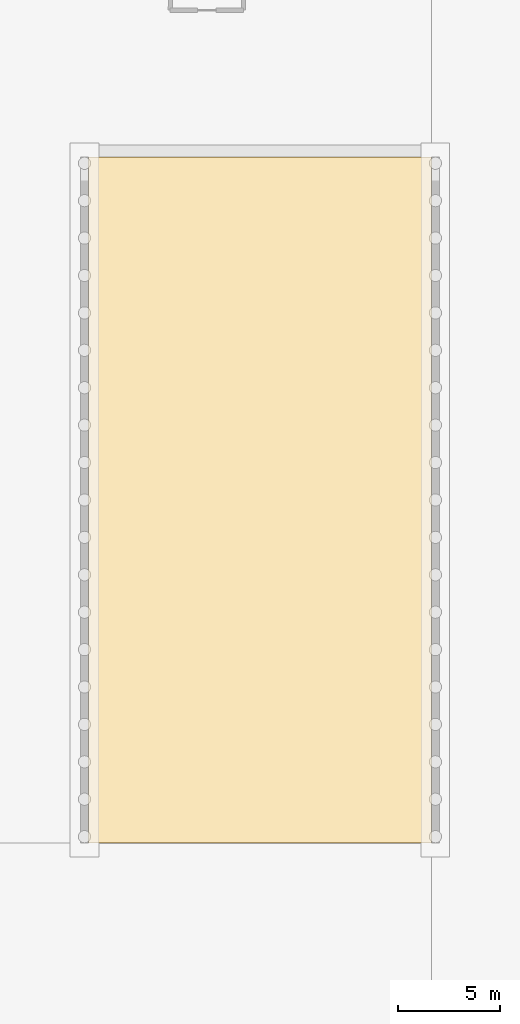
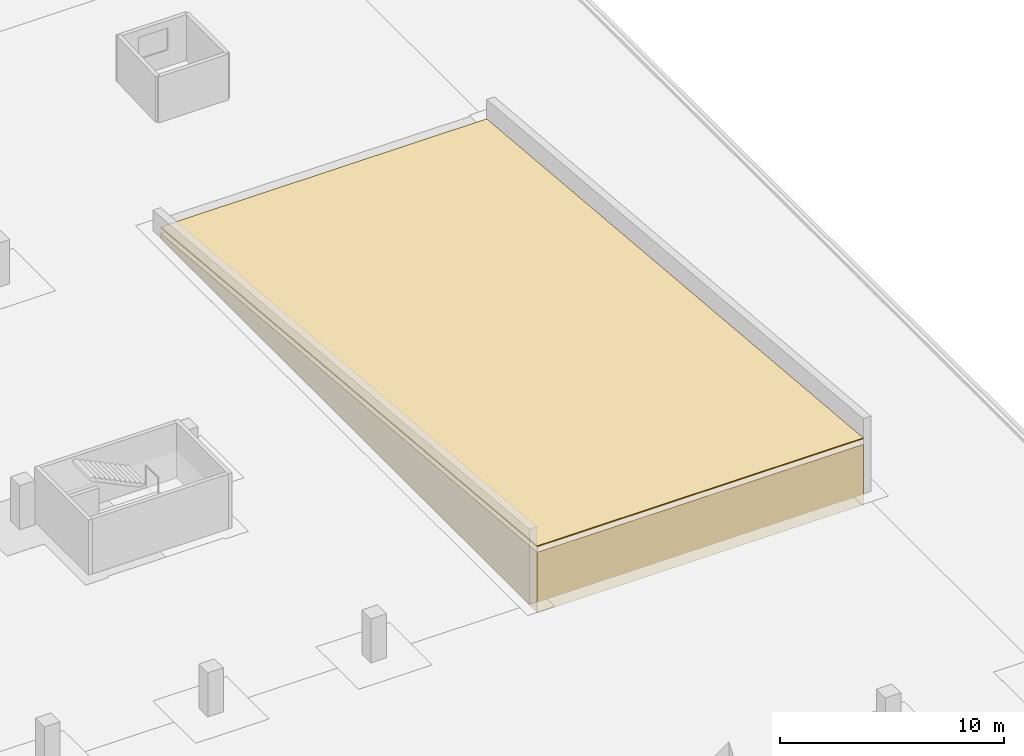
# One storey, part 66 of 67: 2 coverings.
"""IFC4 building model written with IfcOpenShell, lengths in metres."""

from ifc_helpers import new_model, si_unit, direction, frame, origin, place, context, subcontext, project, spatial, polyline, outline, extrude, material, layer, layer_set, type_object, element, save


model = new_model("IFC4")

# Units and contexts
model_context = context("Model", 3, precision=1e-05, world=origin(), true_north=direction((0.0, 1.0)))
body_context = subcontext(model_context, "Body", "Model", "MODEL_VIEW")
ifc_project = project(units=[si_unit("LENGTHUNIT", "METRE"), si_unit("AREAUNIT", "SQUARE_METRE"), si_unit("VOLUMEUNIT", "CUBIC_METRE"), si_unit("PLANEANGLEUNIT", "RADIAN"), si_unit("MASSUNIT", "GRAM", prefix="KILO")], contexts=[model_context])

# Site, building, storey
site_placement = place(None, origin())
site = spatial("IfcSite", under=ifc_project, at=site_placement, CompositionType="ELEMENT")
building_placement = place(site_placement, origin())
building = spatial("IfcBuilding", under=site, at=building_placement, Name="Rain Tree Exposition and Congress Centre", CompositionType="ELEMENT")
storey_placement = place(building_placement, frame((0.0, 0.0, -3.0)))
storey = spatial("IfcBuildingStorey", under=building, at=storey_placement, Name="B1", CompositionType="ELEMENT", Elevation=-3.0)

# Coverings
ifc_material_1 = material(Name="Lightweight foamed aggregate fill", Category="soil")
ifc_layer_1 = layer(ifc_material_1, 0.300048828125)
ifc_layer_set_1 = layer_set([ifc_layer_1], Name="Lightweight foamed aggregate fill")
covering_type_1 = type_object("IfcCoveringType", Name="Lightweight ramp fill 16800", PredefinedType="FLOORING", material=ifc_layer_set_1)
covering_1_placement = place(storey_placement, frame((260.39990234375, 268.800048828125, -0.60009765625), z_axis=(0.0, 0.0, 1.0), x_axis=(0.0, -1.0, 0.0)))
element("IfcCovering", 1, at=covering_1_placement, inside=storey, type_object=covering_type_1, Name="Truck Ramp B lightweight fill", PredefinedType="FLOORING", context=body_context, shape_type="SweptSolid", body=[
    extrude(outline(polyline([(0.0, 0.0), (33.60009765625, 0.0), (33.60009765625, 3.300048828125), (0.0, 0.300048828125), (0.0, 0.0)])), frame((0.0, 8.39990234375, 0.0), z_axis=(0.0, -1.0, 0.0), x_axis=(1.0, 0.0, 0.0)), (0.0, 0.0, 1.0), 16.800048828125),
])
ifc_material_2 = material(Name="Non-slip resin wearing course")
ifc_layer_2 = layer(ifc_material_2, 0.050048828125)
ifc_layer_set_2 = layer_set([ifc_layer_2], Name="Non-slip resin wearing course")
covering_type_2 = type_object("IfcCoveringType", Name="Non-slip ramp surfacing 50", PredefinedType="FLOORING", material=ifc_layer_set_2)
covering_2_placement = place(storey_placement, frame((252.0, 268.800048828125, 0.05029296875), z_axis=(0.0, 0.088931681545, 0.99603772821), x_axis=(1.0, 0.0, 0.0)))
element("IfcCovering", 2, at=covering_2_placement, inside=storey, type_object=covering_type_2, Name="Truck Ramp B non-slip surfacing", PredefinedType="FLOORING", context=body_context, shape_type="SweptSolid", body=[
    extrude(outline(polyline([(0.0, 0.0), (16.800048828125, 0.0), (16.800048828125, -33.73375998179771), (0.0, -33.73375998179771), (0.0, 0.0)])), origin(), (0.0, 0.0, -1.0), 0.050048828125),
])

save(model, "model.ifc")
